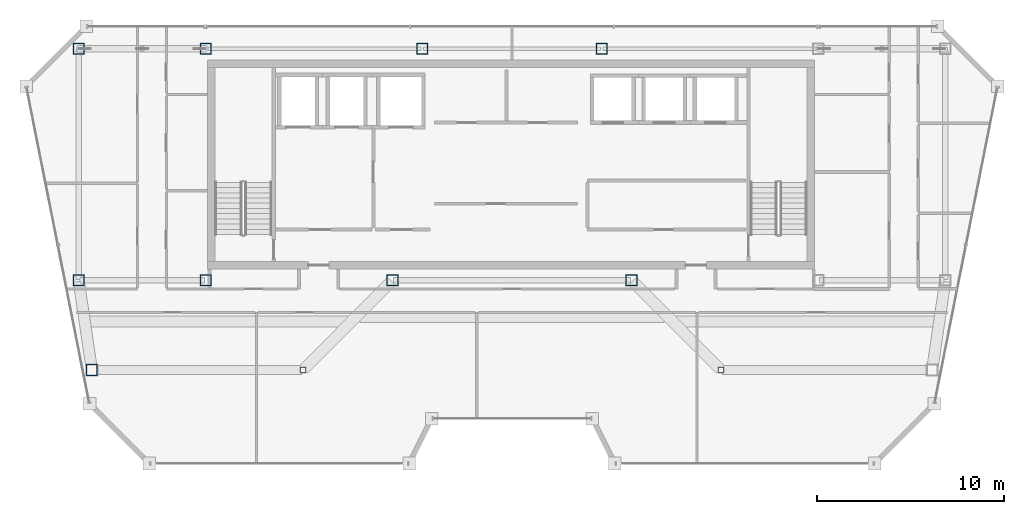
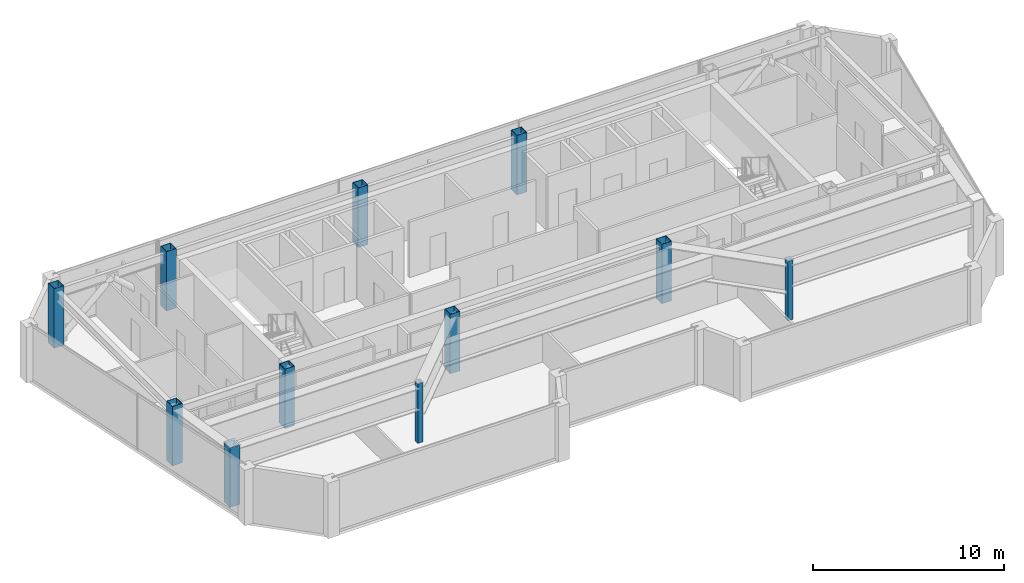
# One storey, part 1 of 24: 11 columns.
"""IFC4 building model written with IfcOpenShell, lengths in metres."""

from ifc_helpers import new_model, si_unit, direction, frame, origin, origin_2d, place, context, subcontext, project, spatial, hollow_rectangle, extrude, material, material_profile, profile_set, type_object, element, save


model = new_model("IFC4")

# Units and contexts
model_context = context("Model", 3, precision=1e-05, world=origin(), true_north=direction((0.0, 1.0)))
body_context = subcontext(model_context, "Body", "Model", "MODEL_VIEW")
ifc_project = project(units=[si_unit("LENGTHUNIT", "METRE"), si_unit("AREAUNIT", "SQUARE_METRE"), si_unit("VOLUMEUNIT", "CUBIC_METRE"), si_unit("PLANEANGLEUNIT", "RADIAN"), si_unit("MASSUNIT", "GRAM", prefix="KILO")], contexts=[model_context])

# Site, building, storey
site_placement = place(None, origin())
site = spatial("IfcSite", under=ifc_project, at=site_placement, CompositionType="ELEMENT")
building_placement = place(site_placement, origin())
building = spatial("IfcBuilding", under=site, at=building_placement, Name="Saevonmaru Cultural Tower", CompositionType="ELEMENT")
storey_placement = place(building_placement, frame((0.0, 0.0, 306.60009765625)))
storey = spatial("IfcBuildingStorey", under=building, at=storey_placement, Name="L73", CompositionType="ELEMENT", Elevation=306.60009765625)

# Columns
ifc_material = material(Name="Steel SM355", Category="steel")
ifc_material_profile_1 = material_profile(ifc_material, hollow_rectangle(XDim=0.60009765625, YDim=0.60009765625, WallThickness=0.028076171875, at=origin_2d()), Name="BOX-600x600x28")
ifc_profile_set_1 = profile_set([ifc_material_profile_1], Name="Steel SM355")
column_type_1 = type_object("IfcColumnType", Name="COL-BOX-600", PredefinedType="COLUMN", material=ifc_profile_set_1)
for number, where, z_axis, x_axis, name in (
    (1, (6.800048828125, 54.800048828125, 0.0), (0.0, 0.0, 1.0), (1.0, 0.0, 0.0), "L73 Column TC-N1N"),
    (2, (13.60009765625, 54.800048828125, 0.0), (0.0, 0.0, 1.0), (1.0, 0.0, 0.0), "L73 Column TC-N2N"),
    (3, (25.199951171875, 54.800048828125, 0.0), (0.0, 0.0, 1.0), (1.0, 0.0, 0.0), "L73 Column TC-N3N"),
    (4, (34.800048828125, 54.800048828125, 0.0), (0.0, 0.0, 1.0), (1.0, 0.0, 0.0), "L73 Column TC-N4N"),
    (5, (6.800048828125, 42.39990234375, 0.0), (0.0, 0.0, 1.0), (1.0, 0.0, 0.0), "L73 Column TC-S1C"),
    (6, (13.60009765625, 42.39990234375, 0.0), (0.0, 0.0, 1.0), (1.0, 0.0, 0.0), "L73 Column TC-S2C"),
    (7, (23.60009765625, 42.39990234375, 0.0), (0.0, 0.0, 1.0), (1.0, 0.0, 0.0), "L73 Column TC-S3C"),
    (8, (36.39990234375, 42.39990234375, 0.0), (0.0, 0.0, 1.0), (1.0, 0.0, 0.0), "L73 Column TC-S4C"),
    (9, (7.508056640625, 37.60009765625, 0.0), (0.0, 0.0, 1.0), (1.0, 0.0, 0.0), "L73 Column TC-WO-Y376"),
):
    element("IfcColumn", number, at=place(storey_placement, frame(where, z_axis=z_axis, x_axis=x_axis)), inside=storey, type_object=column_type_1, Name=name, PredefinedType="COLUMN", context=body_context, shape_type="SweptSolid", body=[
        extrude(hollow_rectangle(XDim=0.60009765625, YDim=0.60009765625, WallThickness=0.028076171875, at=origin_2d()), origin(), (0.0, 0.0, 1.0), 3.7998046875),
    ])
ifc_material_profile_2 = material_profile(ifc_material, hollow_rectangle(XDim=0.300048828125, YDim=0.300048828125, WallThickness=0.011962890625, at=origin_2d()), Name="SHS-300x300x12")
ifc_profile_set_2 = profile_set([ifc_material_profile_2], Name="Steel SM355")
column_type_2 = type_object("IfcColumnType", Name="COL-SHS-300", PredefinedType="COLUMN", material=ifc_profile_set_2)
for number, where, z_axis, x_axis, name in (
    (10, (18.80810546875, 37.60009765625, 0.0), (0.0, 0.0, 1.0), (1.0, 0.0, 0.0), "L73 Column TC-WI-Y376"),
    (11, (41.19189453125, 37.60009765625, 0.0), (0.0, 0.0, 1.0), (1.0, 0.0, 0.0), "L73 Column TC-EI-Y376"),
):
    element("IfcColumn", number, at=place(storey_placement, frame(where, z_axis=z_axis, x_axis=x_axis)), inside=storey, type_object=column_type_2, Name=name, PredefinedType="COLUMN", context=body_context, shape_type="SweptSolid", body=[
        extrude(hollow_rectangle(XDim=0.300048828125, YDim=0.300048828125, WallThickness=0.011962890625, at=origin_2d()), origin(), (0.0, 0.0, 1.0), 3.7998046875),
    ])

save(model, "model.ifc")
